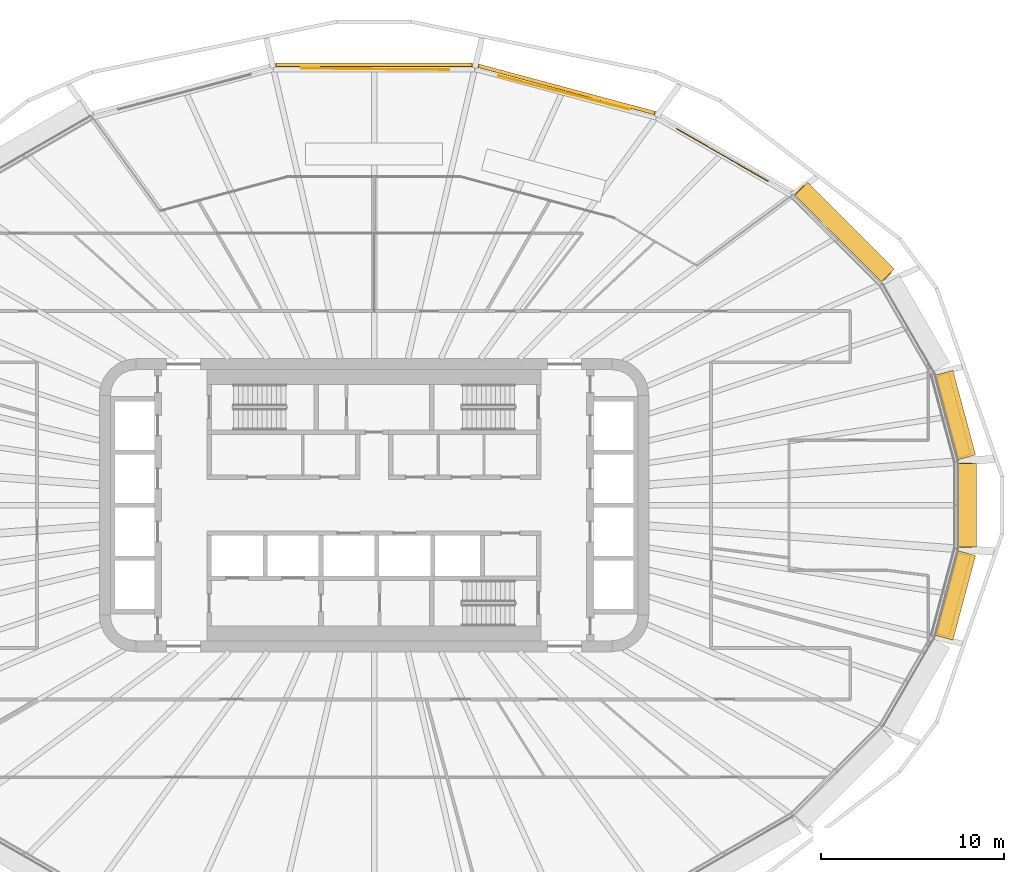
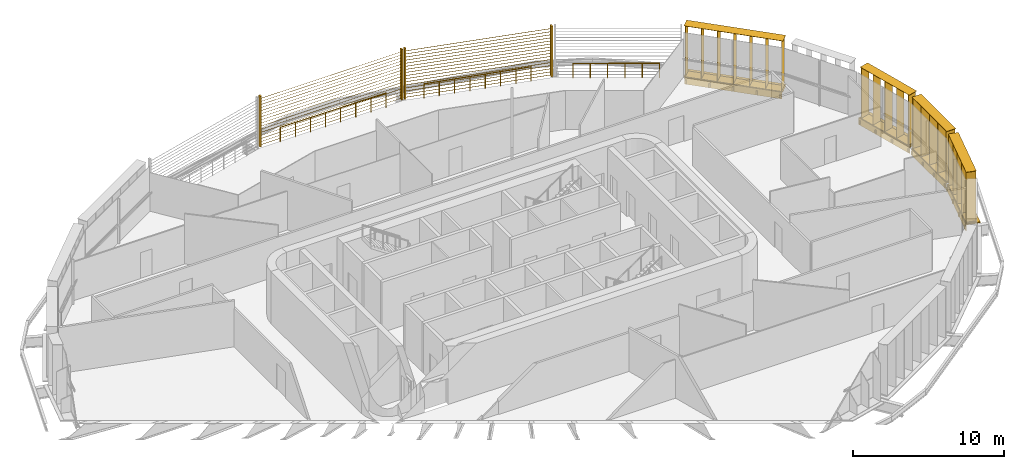
# One storey, part 24 of 24: 10 shading devices, 3 railings.
"""IFC4 building model written with IfcOpenShell, lengths in metres."""

from ifc_helpers import new_model, si_unit, direction, frame, origin, origin_2d, place, context, subcontext, project, spatial, rectangle, circle, extrude, material, type_object, element, save


model = new_model("IFC4")

# Units and contexts
model_context = context("Model", 3, precision=1e-05, world=origin(), true_north=direction((0.0, 1.0)))
body_context = subcontext(model_context, "Body", "Model", "MODEL_VIEW")
ifc_project = project(units=[si_unit("LENGTHUNIT", "METRE"), si_unit("AREAUNIT", "SQUARE_METRE"), si_unit("VOLUMEUNIT", "CUBIC_METRE"), si_unit("PLANEANGLEUNIT", "RADIAN"), si_unit("MASSUNIT", "GRAM", prefix="KILO")], contexts=[model_context])

# Site, building, storey
site_placement = place(None, origin())
site = spatial("IfcSite", under=ifc_project, at=site_placement, CompositionType="ELEMENT")
building_placement = place(site_placement, origin())
building = spatial("IfcBuilding", under=site, at=building_placement, Name="Sahrelin Media Tower", CompositionType="ELEMENT")
storey_placement = place(building_placement, frame((0.0, 0.0, 118.800048828125)))
storey = spatial("IfcBuildingStorey", under=building, at=storey_placement, Name="L23", CompositionType="ELEMENT", Elevation=118.800048828125)

# Shading devices
ifc_material_1 = material(Name="Champagne anodised aluminium 6063-T6", Category="aluminium")
shading_device_type_1 = type_object("IfcShadingDeviceType", Name="Fin cassette", PredefinedType="USERDEFINED", material=ifc_material_1)
placement_1 = place(storey_placement, frame((31.881591796875, 0.0, 0.0), z_axis=(0.0, 0.0, 1.0), x_axis=(0.0, -1.0, 0.0)))
element("IfcShadingDevice", 1, at=placement_1, inside=storey, type_object=shading_device_type_1, Name="L23:FIN:L23-00", ObjectType="FIN", PredefinedType="USERDEFINED", context=body_context, shape_type="SweptSolid", body=[
    extrude(rectangle(XDim=4.60009765625, YDim=0.699951171875, at=origin_2d()), frame((0.0, 0.419921875, 0.0)), (0.0, 0.0, 1.0), 0.02001953125),
    extrude(rectangle(XDim=4.60009765625, YDim=0.699951171875, at=origin_2d()), frame((0.0, 0.419921875, 4.10009765625)), (0.0, 0.0, 1.0), 0.02001953125),
    extrude(rectangle(XDim=0.02001953125, YDim=0.699951171875, at=origin_2d()), frame((-2.199951171875, 0.419921875, 0.010009765625), z_axis=(0.0, 0.0, 1.0), x_axis=(1.0, 0.0, 0.0)), (0.0, 0.0, 1.0), 4.10009765625),
    extrude(rectangle(XDim=0.02001953125, YDim=0.699951171875, at=origin_2d()), frame((-1.10009765625, 0.419921875, 0.010009765625), z_axis=(0.0, 0.0, 1.0), x_axis=(1.0, 0.0, 0.0)), (0.0, 0.0, 1.0), 4.10009765625),
    extrude(rectangle(XDim=0.02001953125, YDim=0.699951171875, at=origin_2d()), frame((0.0, 0.419921875, 0.010009765625), z_axis=(0.0, 0.0, 1.0), x_axis=(1.0, 0.0, 0.0)), (0.0, 0.0, 1.0), 4.10009765625),
    extrude(rectangle(XDim=0.02001953125, YDim=0.699951171875, at=origin_2d()), frame((1.10009765625, 0.419921875, 0.010009765625), z_axis=(0.0, 0.0, 1.0), x_axis=(1.0, 0.0, 0.0)), (0.0, 0.0, 1.0), 4.10009765625),
    extrude(rectangle(XDim=0.02001953125, YDim=0.699951171875, at=origin_2d()), frame((2.199951171875, 0.419921875, 0.010009765625), z_axis=(0.0, 0.0, 1.0), x_axis=(1.0, 0.0, 0.0)), (0.0, 0.0, 1.0), 4.10009765625),
])
placement_2 = place(storey_placement, frame((31.23681640625, 4.788818359375, 0.0), z_axis=(0.0, 0.0, 1.0), x_axis=(0.258807731996, -0.965928857556, 0.0)))
element("IfcShadingDevice", 2, at=placement_2, inside=storey, type_object=shading_device_type_1, Name="L23:FIN:L23-01", ObjectType="FIN", PredefinedType="USERDEFINED", context=body_context, shape_type="SweptSolid", body=[
    extrude(rectangle(XDim=4.60009765625, YDim=0.699951171875, at=origin_2d()), frame((0.0, 0.419921875, 0.0)), (0.0, 0.0, 1.0), 0.02001953125),
    extrude(rectangle(XDim=4.60009765625, YDim=0.699951171875, at=origin_2d()), frame((0.0, 0.419921875, 4.10009765625)), (0.0, 0.0, 1.0), 0.02001953125),
    extrude(rectangle(XDim=0.02001953125, YDim=0.699951171875, at=origin_2d()), frame((-2.199951171875, 0.419921875, 0.010009765625), z_axis=(0.0, 0.0, 1.0), x_axis=(1.0, 0.0, 0.0)), (0.0, 0.0, 1.0), 4.10009765625),
    extrude(rectangle(XDim=0.02001953125, YDim=0.699951171875, at=origin_2d()), frame((-1.10009765625, 0.419921875, 0.010009765625), z_axis=(0.0, 0.0, 1.0), x_axis=(1.0, 0.0, 0.0)), (0.0, 0.0, 1.0), 4.10009765625),
    extrude(rectangle(XDim=0.02001953125, YDim=0.699951171875, at=origin_2d()), frame((0.0, 0.419921875, 0.010009765625), z_axis=(0.0, 0.0, 1.0), x_axis=(1.0, 0.0, 0.0)), (0.0, 0.0, 1.0), 4.10009765625),
    extrude(rectangle(XDim=0.02001953125, YDim=0.699951171875, at=origin_2d()), frame((1.10009765625, 0.419921875, 0.010009765625), z_axis=(0.0, 0.0, 1.0), x_axis=(1.0, 0.0, 0.0)), (0.0, 0.0, 1.0), 4.10009765625),
    extrude(rectangle(XDim=0.02001953125, YDim=0.699951171875, at=origin_2d()), frame((2.199951171875, 0.419921875, 0.010009765625), z_axis=(0.0, 0.0, 1.0), x_axis=(1.0, 0.0, 0.0)), (0.0, 0.0, 1.0), 4.10009765625),
])
placement_3 = place(storey_placement, frame((25.322021484375, 14.54052734375, 0.0), z_axis=(0.0, 0.0, 1.0), x_axis=(0.707106781187, -0.707106781187, 0.0)))
element("IfcShadingDevice", 3, at=placement_3, inside=storey, type_object=shading_device_type_1, Name="L23:FIN:L23-03", ObjectType="FIN", PredefinedType="USERDEFINED", context=body_context, shape_type="SweptSolid", body=[
    extrude(rectangle(XDim=6.800048828125, YDim=0.699951171875, at=origin_2d()), frame((0.0, 0.419921875, 0.0)), (0.0, 0.0, 1.0), 0.02001953125),
    extrude(rectangle(XDim=6.800048828125, YDim=0.699951171875, at=origin_2d()), frame((0.0, 0.419921875, 4.10009765625)), (0.0, 0.0, 1.0), 0.02001953125),
    extrude(rectangle(XDim=0.02001953125, YDim=0.699951171875, at=origin_2d()), frame((-3.300048828125, 0.419921875, 0.010009765625), z_axis=(0.0, 0.0, 1.0), x_axis=(1.0, 0.0, 0.0)), (0.0, 0.0, 1.0), 4.10009765625),
    extrude(rectangle(XDim=0.02001953125, YDim=0.699951171875, at=origin_2d()), frame((-2.199951171875, 0.419921875, 0.010009765625), z_axis=(0.0, 0.0, 1.0), x_axis=(1.0, 0.0, 0.0)), (0.0, 0.0, 1.0), 4.10009765625),
    extrude(rectangle(XDim=0.02001953125, YDim=0.699951171875, at=origin_2d()), frame((-1.10009765625, 0.419921875, 0.010009765625), z_axis=(0.0, 0.0, 1.0), x_axis=(1.0, 0.0, 0.0)), (0.0, 0.0, 1.0), 4.10009765625),
    extrude(rectangle(XDim=0.02001953125, YDim=0.699951171875, at=origin_2d()), frame((0.0, 0.419921875, 0.010009765625), z_axis=(0.0, 0.0, 1.0), x_axis=(1.0, 0.0, 0.0)), (0.0, 0.0, 1.0), 4.10009765625),
    extrude(rectangle(XDim=0.02001953125, YDim=0.699951171875, at=origin_2d()), frame((1.10009765625, 0.419921875, 0.010009765625), z_axis=(0.0, 0.0, 1.0), x_axis=(1.0, 0.0, 0.0)), (0.0, 0.0, 1.0), 4.10009765625),
    extrude(rectangle(XDim=0.02001953125, YDim=0.699951171875, at=origin_2d()), frame((2.199951171875, 0.419921875, 0.010009765625), z_axis=(0.0, 0.0, 1.0), x_axis=(1.0, 0.0, 0.0)), (0.0, 0.0, 1.0), 4.10009765625),
    extrude(rectangle(XDim=0.02001953125, YDim=0.699951171875, at=origin_2d()), frame((3.300048828125, 0.419921875, 0.010009765625), z_axis=(0.0, 0.0, 1.0), x_axis=(1.0, 0.0, 0.0)), (0.0, 0.0, 1.0), 4.10009765625),
])
placement_4 = place(storey_placement, frame((31.23681640625, -4.788818359375, 0.0), z_axis=(0.0, 0.0, 1.0), x_axis=(-0.258807731996, -0.965928857556, 0.0)))
element("IfcShadingDevice", 4, at=placement_4, inside=storey, type_object=shading_device_type_1, Name="L23:FIN:L23-23", ObjectType="FIN", PredefinedType="USERDEFINED", context=body_context, shape_type="SweptSolid", body=[
    extrude(rectangle(XDim=4.60009765625, YDim=0.699951171875, at=origin_2d()), frame((0.0, 0.419921875, 0.0)), (0.0, 0.0, 1.0), 0.02001953125),
    extrude(rectangle(XDim=4.60009765625, YDim=0.699951171875, at=origin_2d()), frame((0.0, 0.419921875, 4.10009765625)), (0.0, 0.0, 1.0), 0.02001953125),
    extrude(rectangle(XDim=0.02001953125, YDim=0.699951171875, at=origin_2d()), frame((-2.199951171875, 0.419921875, 0.010009765625), z_axis=(0.0, 0.0, 1.0), x_axis=(1.0, 0.0, 0.0)), (0.0, 0.0, 1.0), 4.10009765625),
    extrude(rectangle(XDim=0.02001953125, YDim=0.699951171875, at=origin_2d()), frame((-1.10009765625, 0.419921875, 0.010009765625), z_axis=(0.0, 0.0, 1.0), x_axis=(1.0, 0.0, 0.0)), (0.0, 0.0, 1.0), 4.10009765625),
    extrude(rectangle(XDim=0.02001953125, YDim=0.699951171875, at=origin_2d()), frame((0.0, 0.419921875, 0.010009765625), z_axis=(0.0, 0.0, 1.0), x_axis=(1.0, 0.0, 0.0)), (0.0, 0.0, 1.0), 4.10009765625),
    extrude(rectangle(XDim=0.02001953125, YDim=0.699951171875, at=origin_2d()), frame((1.10009765625, 0.419921875, 0.010009765625), z_axis=(0.0, 0.0, 1.0), x_axis=(1.0, 0.0, 0.0)), (0.0, 0.0, 1.0), 4.10009765625),
    extrude(rectangle(XDim=0.02001953125, YDim=0.699951171875, at=origin_2d()), frame((2.199951171875, 0.419921875, 0.010009765625), z_axis=(0.0, 0.0, 1.0), x_axis=(1.0, 0.0, 0.0)), (0.0, 0.0, 1.0), 4.10009765625),
])
shading_device_type_2 = type_object("IfcShadingDeviceType", Name="Garden screen", PredefinedType="USERDEFINED", material=ifc_material_1)
shading_device_5_placement = place(storey_placement, frame((10.487060546875, 22.59814453125, 0.0), z_axis=(0.0, 0.0, 1.0), x_axis=(0.965928857556, -0.258807731996, 0.0)))
element("IfcShadingDevice", 5, at=shading_device_5_placement, inside=storey, type_object=shading_device_type_2, Name="L23:SCREEN:L23-05", ObjectType="SCREEN", PredefinedType="USERDEFINED", context=body_context, shape_type="SweptSolid", body=[
    extrude(rectangle(XDim=0.1201171875, YDim=0.199951171875, at=origin_2d()), frame((5.031982421875, 0.10009765625, 0.050048828125), z_axis=(0.0, 0.0, 1.0), x_axis=(1.0, 0.0, 0.0)), (0.0, 0.0, 1.0), 4.099853515625),
    extrude(rectangle(XDim=0.1201171875, YDim=0.199951171875, at=origin_2d()), frame((-5.031982421875, 0.10009765625, 0.050048828125), z_axis=(0.0, 0.0, 1.0), x_axis=(1.0, 0.0, 0.0)), (0.0, 0.0, 1.0), 4.099853515625),
    extrude(rectangle(XDim=0.25, YDim=0.02001953125, at=origin_2d()), frame((4.971923828125, 0.10009765625, 0.14990234375), z_axis=(-1.0, 0.0, 0.0), x_axis=(0.0, -0.766044443119, 0.642787609687)), (0.0, 0.0, 1.0), 9.94384765625),
    extrude(rectangle(XDim=0.25, YDim=0.02001953125, at=origin_2d()), frame((4.971923828125, 0.10009765625, 0.39990234375), z_axis=(-1.0, 0.0, 0.0), x_axis=(0.0, -0.766044443119, 0.642787609687)), (0.0, 0.0, 1.0), 9.94384765625),
    extrude(rectangle(XDim=0.25, YDim=0.02001953125, at=origin_2d()), frame((4.971923828125, 0.10009765625, 0.64990234375), z_axis=(-1.0, 0.0, 0.0), x_axis=(0.0, -0.766044443119, 0.642787609687)), (0.0, 0.0, 1.0), 9.94384765625),
    extrude(rectangle(XDim=0.25, YDim=0.02001953125, at=origin_2d()), frame((4.971923828125, 0.10009765625, 0.89990234375), z_axis=(-1.0, 0.0, 0.0), x_axis=(0.0, -0.766044443119, 0.642787609687)), (0.0, 0.0, 1.0), 9.94384765625),
    extrude(rectangle(XDim=0.25, YDim=0.02001953125, at=origin_2d()), frame((4.971923828125, 0.10009765625, 1.14990234375), z_axis=(-1.0, 0.0, 0.0), x_axis=(0.0, -0.766044443119, 0.642787609687)), (0.0, 0.0, 1.0), 9.94384765625),
    extrude(rectangle(XDim=0.25, YDim=0.02001953125, at=origin_2d()), frame((4.971923828125, 0.10009765625, 1.39990234375), z_axis=(-1.0, 0.0, 0.0), x_axis=(0.0, -0.766044443119, 0.642787609687)), (0.0, 0.0, 1.0), 9.94384765625),
    extrude(rectangle(XDim=0.25, YDim=0.02001953125, at=origin_2d()), frame((4.971923828125, 0.10009765625, 1.64990234375), z_axis=(-1.0, 0.0, 0.0), x_axis=(0.0, -0.766044443119, 0.642787609687)), (0.0, 0.0, 1.0), 9.94384765625),
    extrude(rectangle(XDim=0.25, YDim=0.02001953125, at=origin_2d()), frame((4.971923828125, 0.10009765625, 1.89990234375), z_axis=(-1.0, 0.0, 0.0), x_axis=(0.0, -0.766044443119, 0.642787609687)), (0.0, 0.0, 1.0), 9.94384765625),
    extrude(rectangle(XDim=0.25, YDim=0.02001953125, at=origin_2d()), frame((4.971923828125, 0.10009765625, 2.14990234375), z_axis=(-1.0, 0.0, 0.0), x_axis=(0.0, -0.766044443119, 0.642787609687)), (0.0, 0.0, 1.0), 9.94384765625),
    extrude(rectangle(XDim=0.25, YDim=0.02001953125, at=origin_2d()), frame((4.971923828125, 0.10009765625, 2.39990234375), z_axis=(-1.0, 0.0, 0.0), x_axis=(0.0, -0.766044443119, 0.642787609687)), (0.0, 0.0, 1.0), 9.94384765625),
    extrude(rectangle(XDim=0.25, YDim=0.02001953125, at=origin_2d()), frame((4.971923828125, 0.10009765625, 2.64990234375), z_axis=(-1.0, 0.0, 0.0), x_axis=(0.0, -0.766044443119, 0.642787609687)), (0.0, 0.0, 1.0), 9.94384765625),
    extrude(rectangle(XDim=0.25, YDim=0.02001953125, at=origin_2d()), frame((4.971923828125, 0.10009765625, 2.89990234375), z_axis=(-1.0, 0.0, 0.0), x_axis=(0.0, -0.766044443119, 0.642787609687)), (0.0, 0.0, 1.0), 9.94384765625),
    extrude(rectangle(XDim=0.25, YDim=0.02001953125, at=origin_2d()), frame((4.971923828125, 0.10009765625, 3.14990234375), z_axis=(-1.0, 0.0, 0.0), x_axis=(0.0, -0.766044443119, 0.642787609687)), (0.0, 0.0, 1.0), 9.94384765625),
    extrude(rectangle(XDim=0.25, YDim=0.02001953125, at=origin_2d()), frame((4.971923828125, 0.10009765625, 3.39990234375), z_axis=(-1.0, 0.0, 0.0), x_axis=(0.0, -0.766044443119, 0.642787609687)), (0.0, 0.0, 1.0), 9.94384765625),
    extrude(rectangle(XDim=0.25, YDim=0.02001953125, at=origin_2d()), frame((4.971923828125, 0.10009765625, 3.64990234375), z_axis=(-1.0, 0.0, 0.0), x_axis=(0.0, -0.766044443119, 0.642787609687)), (0.0, 0.0, 1.0), 9.94384765625),
    extrude(rectangle(XDim=0.25, YDim=0.02001953125, at=origin_2d()), frame((4.971923828125, 0.10009765625, 3.89990234375), z_axis=(-1.0, 0.0, 0.0), x_axis=(0.0, -0.766044443119, 0.642787609687)), (0.0, 0.0, 1.0), 9.94384765625),
])
shading_device_6_placement = place(storey_placement, frame((0.0, 23.928955078125, 0.0), z_axis=(0.0, 0.0, 1.0), x_axis=(1.0, 0.0, 0.0)))
element("IfcShadingDevice", 6, at=shading_device_6_placement, inside=storey, type_object=shading_device_type_2, Name="L23:SCREEN:L23-06", ObjectType="SCREEN", PredefinedType="USERDEFINED", context=body_context, shape_type="SweptSolid", body=[
    extrude(rectangle(XDim=0.1201171875, YDim=0.199951171875, at=origin_2d()), frame((5.410400390625, 0.10009765625, 0.050048828125), z_axis=(0.0, 0.0, 1.0), x_axis=(1.0, 0.0, 0.0)), (0.0, 0.0, 1.0), 4.099853515625),
    extrude(rectangle(XDim=0.1201171875, YDim=0.199951171875, at=origin_2d()), frame((-5.410400390625, 0.10009765625, 0.050048828125), z_axis=(0.0, 0.0, 1.0), x_axis=(1.0, 0.0, 0.0)), (0.0, 0.0, 1.0), 4.099853515625),
    extrude(rectangle(XDim=0.25, YDim=0.02001953125, at=origin_2d()), frame((5.350341796875, 0.10009765625, 0.14990234375), z_axis=(-1.0, 0.0, 0.0), x_axis=(0.0, -0.766044443119, 0.642787609687)), (0.0, 0.0, 1.0), 10.70068359375),
    extrude(rectangle(XDim=0.25, YDim=0.02001953125, at=origin_2d()), frame((5.350341796875, 0.10009765625, 0.39990234375), z_axis=(-1.0, 0.0, 0.0), x_axis=(0.0, -0.766044443119, 0.642787609687)), (0.0, 0.0, 1.0), 10.70068359375),
    extrude(rectangle(XDim=0.25, YDim=0.02001953125, at=origin_2d()), frame((5.350341796875, 0.10009765625, 0.64990234375), z_axis=(-1.0, 0.0, 0.0), x_axis=(0.0, -0.766044443119, 0.642787609687)), (0.0, 0.0, 1.0), 10.70068359375),
    extrude(rectangle(XDim=0.25, YDim=0.02001953125, at=origin_2d()), frame((5.350341796875, 0.10009765625, 0.89990234375), z_axis=(-1.0, 0.0, 0.0), x_axis=(0.0, -0.766044443119, 0.642787609687)), (0.0, 0.0, 1.0), 10.70068359375),
    extrude(rectangle(XDim=0.25, YDim=0.02001953125, at=origin_2d()), frame((5.350341796875, 0.10009765625, 1.14990234375), z_axis=(-1.0, 0.0, 0.0), x_axis=(0.0, -0.766044443119, 0.642787609687)), (0.0, 0.0, 1.0), 10.70068359375),
    extrude(rectangle(XDim=0.25, YDim=0.02001953125, at=origin_2d()), frame((5.350341796875, 0.10009765625, 1.39990234375), z_axis=(-1.0, 0.0, 0.0), x_axis=(0.0, -0.766044443119, 0.642787609687)), (0.0, 0.0, 1.0), 10.70068359375),
    extrude(rectangle(XDim=0.25, YDim=0.02001953125, at=origin_2d()), frame((5.350341796875, 0.10009765625, 1.64990234375), z_axis=(-1.0, 0.0, 0.0), x_axis=(0.0, -0.766044443119, 0.642787609687)), (0.0, 0.0, 1.0), 10.70068359375),
    extrude(rectangle(XDim=0.25, YDim=0.02001953125, at=origin_2d()), frame((5.350341796875, 0.10009765625, 1.89990234375), z_axis=(-1.0, 0.0, 0.0), x_axis=(0.0, -0.766044443119, 0.642787609687)), (0.0, 0.0, 1.0), 10.70068359375),
    extrude(rectangle(XDim=0.25, YDim=0.02001953125, at=origin_2d()), frame((5.350341796875, 0.10009765625, 2.14990234375), z_axis=(-1.0, 0.0, 0.0), x_axis=(0.0, -0.766044443119, 0.642787609687)), (0.0, 0.0, 1.0), 10.70068359375),
    extrude(rectangle(XDim=0.25, YDim=0.02001953125, at=origin_2d()), frame((5.350341796875, 0.10009765625, 2.39990234375), z_axis=(-1.0, 0.0, 0.0), x_axis=(0.0, -0.766044443119, 0.642787609687)), (0.0, 0.0, 1.0), 10.70068359375),
    extrude(rectangle(XDim=0.25, YDim=0.02001953125, at=origin_2d()), frame((5.350341796875, 0.10009765625, 2.64990234375), z_axis=(-1.0, 0.0, 0.0), x_axis=(0.0, -0.766044443119, 0.642787609687)), (0.0, 0.0, 1.0), 10.70068359375),
    extrude(rectangle(XDim=0.25, YDim=0.02001953125, at=origin_2d()), frame((5.350341796875, 0.10009765625, 2.89990234375), z_axis=(-1.0, 0.0, 0.0), x_axis=(0.0, -0.766044443119, 0.642787609687)), (0.0, 0.0, 1.0), 10.70068359375),
    extrude(rectangle(XDim=0.25, YDim=0.02001953125, at=origin_2d()), frame((5.350341796875, 0.10009765625, 3.14990234375), z_axis=(-1.0, 0.0, 0.0), x_axis=(0.0, -0.766044443119, 0.642787609687)), (0.0, 0.0, 1.0), 10.70068359375),
    extrude(rectangle(XDim=0.25, YDim=0.02001953125, at=origin_2d()), frame((5.350341796875, 0.10009765625, 3.39990234375), z_axis=(-1.0, 0.0, 0.0), x_axis=(0.0, -0.766044443119, 0.642787609687)), (0.0, 0.0, 1.0), 10.70068359375),
    extrude(rectangle(XDim=0.25, YDim=0.02001953125, at=origin_2d()), frame((5.350341796875, 0.10009765625, 3.64990234375), z_axis=(-1.0, 0.0, 0.0), x_axis=(0.0, -0.766044443119, 0.642787609687)), (0.0, 0.0, 1.0), 10.70068359375),
    extrude(rectangle(XDim=0.25, YDim=0.02001953125, at=origin_2d()), frame((5.350341796875, 0.10009765625, 3.89990234375), z_axis=(-1.0, 0.0, 0.0), x_axis=(0.0, -0.766044443119, 0.642787609687)), (0.0, 0.0, 1.0), 10.70068359375),
])

# Railings
ifc_material_2 = material(Name="Stainless steel 316", Category="steel")
railing_type = type_object("IfcRailingType", Name="Sky garden guard", PredefinedType="GUARDRAIL", material=ifc_material_2)
railing_1_placement = place(storey_placement, frame((21.513427734375, 17.69873046875, 0.0)))
element("IfcRailing", 7, at=railing_1_placement, inside=storey, type_object=railing_type, Name="Sky garden guard G2-1", PredefinedType="GUARDRAIL", context=body_context, shape_type="SweptSolid", body=[
    extrude(circle(Radius=0.02392578125, at=origin_2d()), frame((0.0, 0.0, 1.17578125), z_axis=(-0.868057317307, 0.496463990507, 0.0), x_axis=(-0.496463990507, -0.868057317307, 0.0)), (0.0, 0.0, 1.0), 5.7421875),
    extrude(circle(Radius=0.02099609375, at=origin_2d()), origin(), (0.0, 0.0, 1.0), 1.15185546875),
    extrude(circle(Radius=0.02099609375, at=origin_2d()), frame((-0.996826171875, 0.570068359375, 0.0)), (0.0, 0.0, 1.0), 1.15185546875),
    extrude(circle(Radius=0.02099609375, at=origin_2d()), frame((-1.993896484375, 1.140380859375, 0.0)), (0.0, 0.0, 1.0), 1.15185546875),
    extrude(circle(Radius=0.02099609375, at=origin_2d()), frame((-2.99072265625, 1.71044921875, 0.0)), (0.0, 0.0, 1.0), 1.15185546875),
    extrude(circle(Radius=0.02099609375, at=origin_2d()), frame((-3.98779296875, 2.28076171875, 0.0)), (0.0, 0.0, 1.0), 1.15185546875),
    extrude(circle(Radius=0.02099609375, at=origin_2d()), frame((-4.984619140625, 2.850830078125, 0.0)), (0.0, 0.0, 1.0), 1.15185546875),
])
railing_2_placement = place(storey_placement, frame((13.94091796875, 21.60498046875, 0.0)))
element("IfcRailing", 8, at=railing_2_placement, inside=storey, type_object=railing_type, Name="Sky garden guard G2-2", PredefinedType="GUARDRAIL", context=body_context, shape_type="SweptSolid", body=[
    extrude(circle(Radius=0.02392578125, at=origin_2d()), frame((0.0, 0.0, 1.17578125), z_axis=(-0.968384599174, 0.249461957185, 0.0), x_axis=(-0.249461957185, -0.968384599174, 0.0)), (0.0, 0.0, 1.0), 7.383056640625),
    extrude(circle(Radius=0.02099609375, at=origin_2d()), origin(), (0.0, 0.0, 1.0), 1.15185546875),
    extrude(circle(Radius=0.02099609375, at=origin_2d()), frame((-1.021484375, 0.26318359375, 0.0)), (0.0, 0.0, 1.0), 1.15185546875),
    extrude(circle(Radius=0.02099609375, at=origin_2d()), frame((-2.042724609375, 0.526123046875, 0.0)), (0.0, 0.0, 1.0), 1.15185546875),
    extrude(circle(Radius=0.02099609375, at=origin_2d()), frame((-3.064208984375, 0.789306640625, 0.0)), (0.0, 0.0, 1.0), 1.15185546875),
    extrude(circle(Radius=0.02099609375, at=origin_2d()), frame((-4.08544921875, 1.052490234375, 0.0)), (0.0, 0.0, 1.0), 1.15185546875),
    extrude(circle(Radius=0.02099609375, at=origin_2d()), frame((-5.10693359375, 1.315673828125, 0.0)), (0.0, 0.0, 1.0), 1.15185546875),
    extrude(circle(Radius=0.02099609375, at=origin_2d()), frame((-6.128173828125, 1.57861328125, 0.0)), (0.0, 0.0, 1.0), 1.15185546875),
    extrude(circle(Radius=0.02099609375, at=origin_2d()), frame((-7.149658203125, 1.841796875, 0.0)), (0.0, 0.0, 1.0), 1.15185546875),
])
railing_3_placement = place(storey_placement, frame((4.085693359375, 23.77978515625, 0.0)))
element("IfcRailing", 9, at=railing_3_placement, inside=storey, type_object=railing_type, Name="Sky garden guard G2-3", PredefinedType="GUARDRAIL", context=body_context, shape_type="SweptSolid", body=[
    extrude(circle(Radius=0.02392578125, at=origin_2d()), frame((0.0, 0.0, 1.17578125), z_axis=(-0.999954712066, 0.009517027752, 0.0), x_axis=(-0.009517027752, -0.999954712066, 0.0)), (0.0, 0.0, 1.0), 8.054931640625),
    extrude(circle(Radius=0.02099609375, at=origin_2d()), origin(), (0.0, 0.0, 1.0), 1.15185546875),
    extrude(circle(Radius=0.02099609375, at=origin_2d()), frame((-1.150634765625, 0.010986328125, 0.0)), (0.0, 0.0, 1.0), 1.15185546875),
    extrude(circle(Radius=0.02099609375, at=origin_2d()), frame((-2.30126953125, 0.02197265625, 0.0)), (0.0, 0.0, 1.0), 1.15185546875),
    extrude(circle(Radius=0.02099609375, at=origin_2d()), frame((-3.451904296875, 0.032958984375, 0.0)), (0.0, 0.0, 1.0), 1.15185546875),
    extrude(circle(Radius=0.02099609375, at=origin_2d()), frame((-4.602783203125, 0.043701171875, 0.0)), (0.0, 0.0, 1.0), 1.15185546875),
    extrude(circle(Radius=0.02099609375, at=origin_2d()), frame((-5.75341796875, 0.0546875, 0.0)), (0.0, 0.0, 1.0), 1.15185546875),
    extrude(circle(Radius=0.02099609375, at=origin_2d()), frame((-6.904052734375, 0.065673828125, 0.0)), (0.0, 0.0, 1.0), 1.15185546875),
    extrude(circle(Radius=0.02099609375, at=origin_2d()), frame((-8.0546875, 0.07666015625, 0.0)), (0.0, 0.0, 1.0), 1.15185546875),
])

# Shading devices
shading_device_type_3 = type_object("IfcShadingDeviceType", Name="Sunshade band", PredefinedType="USERDEFINED", material=ifc_material_1)
element("IfcShadingDevice", 10, at=placement_1, inside=storey, type_object=shading_device_type_3, Name="L23:SUN:L23-00", ObjectType="SUNSHADE", PredefinedType="USERDEFINED", context=body_context, shape_type="SweptSolid", body=[
    extrude(rectangle(XDim=4.564697265625, YDim=0.050048828125, at=origin_2d()), frame((0.0, 0.044921875, -0.55126953125)), (0.0, 0.0, 1.0), 0.471435546875),
    extrude(rectangle(XDim=4.564697265625, YDim=1.0, at=origin_2d()), frame((0.0, 0.52001953125, -0.080078125)), (0.0, 0.0, 1.0), 0.080078125),
    extrude(rectangle(XDim=0.10009765625, YDim=0.074951171875, at=origin_2d()), frame((-2.182373046875, -0.017578125, -0.47021484375)), (0.0, 0.0, 1.0), 0.300048828125),
    extrude(rectangle(XDim=0.10009765625, YDim=0.074951171875, at=origin_2d()), frame((-0.727294921875, -0.017578125, -0.47021484375)), (0.0, 0.0, 1.0), 0.300048828125),
    extrude(rectangle(XDim=0.10009765625, YDim=0.074951171875, at=origin_2d()), frame((0.727294921875, -0.017578125, -0.47021484375)), (0.0, 0.0, 1.0), 0.300048828125),
    extrude(rectangle(XDim=0.10009765625, YDim=0.074951171875, at=origin_2d()), frame((2.182373046875, -0.017578125, -0.47021484375)), (0.0, 0.0, 1.0), 0.300048828125),
])
element("IfcShadingDevice", 11, at=placement_2, inside=storey, type_object=shading_device_type_3, Name="L23:SUN:L23-01", ObjectType="SUNSHADE", PredefinedType="USERDEFINED", context=body_context, shape_type="SweptSolid", body=[
    extrude(rectangle(XDim=4.782958984375, YDim=0.050048828125, at=origin_2d()), frame((0.0, 0.044921875, -0.55126953125)), (0.0, 0.0, 1.0), 0.471435546875),
    extrude(rectangle(XDim=4.782958984375, YDim=1.0, at=origin_2d()), frame((0.0, 0.52001953125, -0.080078125)), (0.0, 0.0, 1.0), 0.080078125),
    extrude(rectangle(XDim=0.10009765625, YDim=0.074951171875, at=origin_2d()), frame((-2.29150390625, -0.017578125, -0.47021484375)), (0.0, 0.0, 1.0), 0.300048828125),
    extrude(rectangle(XDim=0.10009765625, YDim=0.074951171875, at=origin_2d()), frame((-0.763916015625, -0.017578125, -0.47021484375)), (0.0, 0.0, 1.0), 0.300048828125),
    extrude(rectangle(XDim=0.10009765625, YDim=0.074951171875, at=origin_2d()), frame((0.763916015625, -0.017578125, -0.47021484375)), (0.0, 0.0, 1.0), 0.300048828125),
    extrude(rectangle(XDim=0.10009765625, YDim=0.074951171875, at=origin_2d()), frame((2.29150390625, -0.017578125, -0.47021484375)), (0.0, 0.0, 1.0), 0.300048828125),
])
element("IfcShadingDevice", 12, at=placement_3, inside=storey, type_object=shading_device_type_3, Name="L23:SUN:L23-03", ObjectType="SUNSHADE", PredefinedType="USERDEFINED", context=body_context, shape_type="SweptSolid", body=[
    extrude(rectangle(XDim=6.6875, YDim=0.050048828125, at=origin_2d()), frame((0.0, 0.044921875, -0.55126953125)), (0.0, 0.0, 1.0), 0.471435546875),
    extrude(rectangle(XDim=6.6875, YDim=1.0, at=origin_2d()), frame((0.0, 0.52001953125, -0.080078125)), (0.0, 0.0, 1.0), 0.080078125),
    extrude(rectangle(XDim=0.10009765625, YDim=0.074951171875, at=origin_2d()), frame((-3.243896484375, -0.017578125, -0.47021484375)), (0.0, 0.0, 1.0), 0.300048828125),
    extrude(rectangle(XDim=0.10009765625, YDim=0.074951171875, at=origin_2d()), frame((-1.621826171875, -0.017578125, -0.47021484375)), (0.0, 0.0, 1.0), 0.300048828125),
    extrude(rectangle(XDim=0.10009765625, YDim=0.074951171875, at=origin_2d()), frame((0.0, -0.017578125, -0.47021484375)), (0.0, 0.0, 1.0), 0.300048828125),
    extrude(rectangle(XDim=0.10009765625, YDim=0.074951171875, at=origin_2d()), frame((1.621826171875, -0.017578125, -0.47021484375)), (0.0, 0.0, 1.0), 0.300048828125),
    extrude(rectangle(XDim=0.10009765625, YDim=0.074951171875, at=origin_2d()), frame((3.243896484375, -0.017578125, -0.47021484375)), (0.0, 0.0, 1.0), 0.300048828125),
])
element("IfcShadingDevice", 13, at=placement_4, inside=storey, type_object=shading_device_type_3, Name="L23:SUN:L23-23", ObjectType="SUNSHADE", PredefinedType="USERDEFINED", context=body_context, shape_type="SweptSolid", body=[
    extrude(rectangle(XDim=4.782958984375, YDim=0.050048828125, at=origin_2d()), frame((0.0, 0.044921875, -0.55126953125)), (0.0, 0.0, 1.0), 0.471435546875),
    extrude(rectangle(XDim=4.782958984375, YDim=1.0, at=origin_2d()), frame((0.0, 0.52001953125, -0.080078125)), (0.0, 0.0, 1.0), 0.080078125),
    extrude(rectangle(XDim=0.10009765625, YDim=0.074951171875, at=origin_2d()), frame((-2.29150390625, -0.017578125, -0.47021484375)), (0.0, 0.0, 1.0), 0.300048828125),
    extrude(rectangle(XDim=0.10009765625, YDim=0.074951171875, at=origin_2d()), frame((-0.763916015625, -0.017578125, -0.47021484375)), (0.0, 0.0, 1.0), 0.300048828125),
    extrude(rectangle(XDim=0.10009765625, YDim=0.074951171875, at=origin_2d()), frame((0.763916015625, -0.017578125, -0.47021484375)), (0.0, 0.0, 1.0), 0.300048828125),
    extrude(rectangle(XDim=0.10009765625, YDim=0.074951171875, at=origin_2d()), frame((2.29150390625, -0.017578125, -0.47021484375)), (0.0, 0.0, 1.0), 0.300048828125),
])

save(model, "model.ifc")
